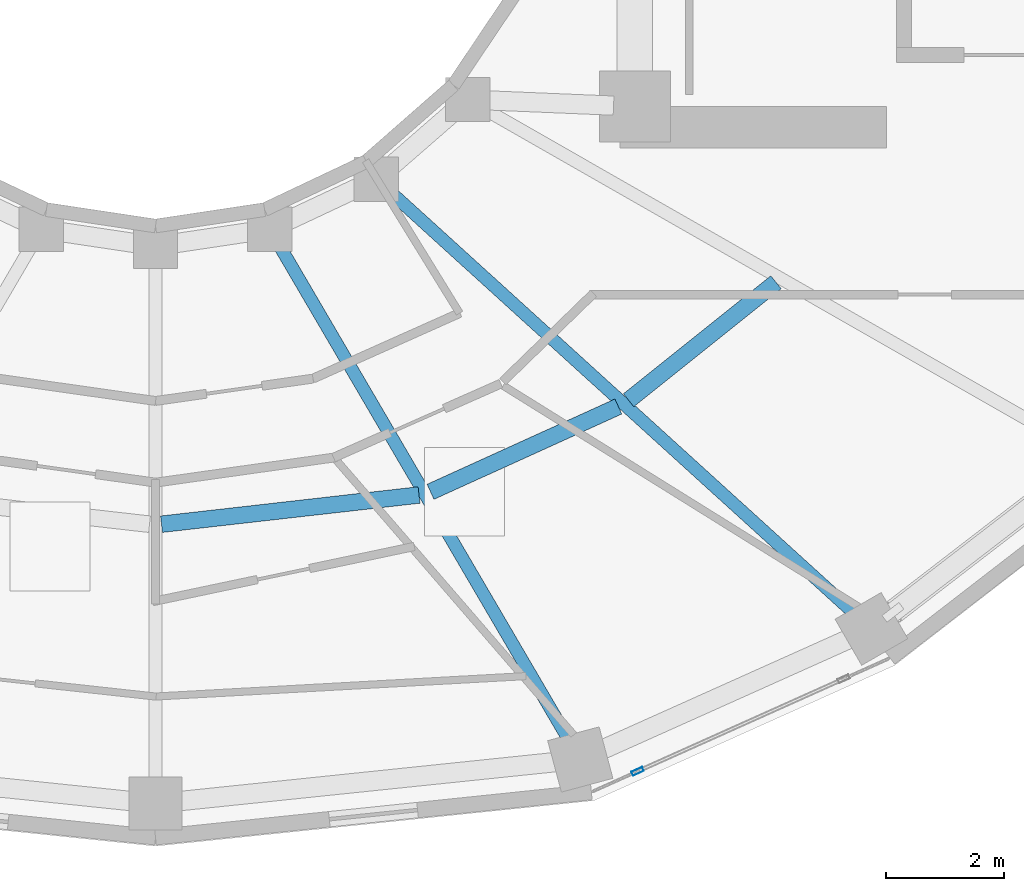
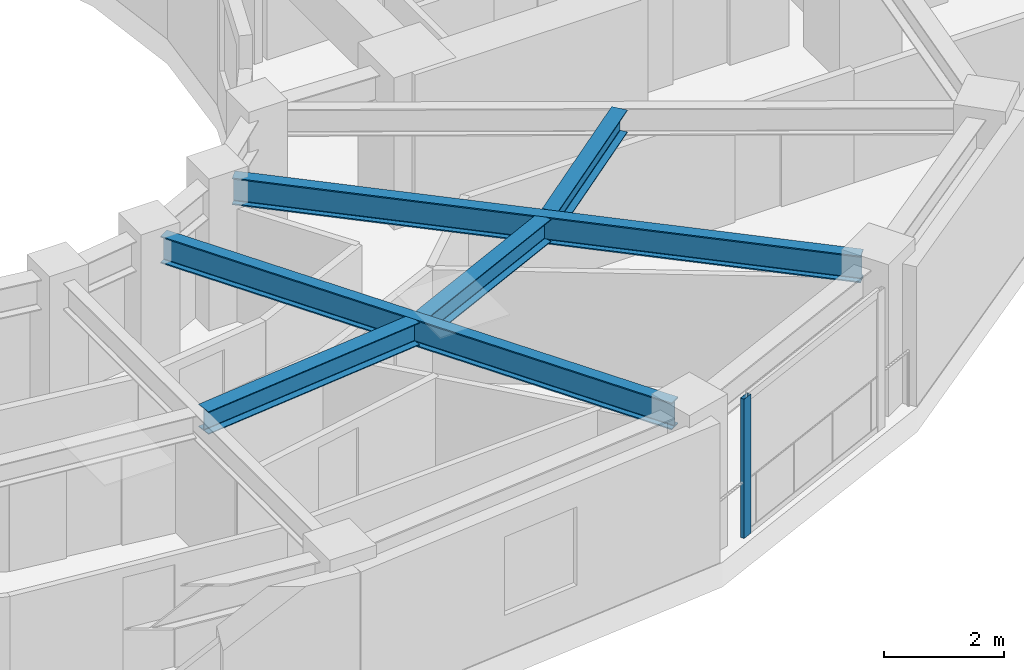
# One storey, part 4 of 17: 5 beams, 1 member, 1 element without a shape of its own.
"""IFC4 building model written with IfcOpenShell, lengths in metres."""

from ifc_helpers import new_model, si_unit, direction, frame, origin, origin_2d, place, context, subcontext, project, spatial, hollow_rectangle, i_section, extrude, material, layer, layer_set, material_profile, profile_set, type_object, element, aggregate, save


model = new_model("IFC4")

# Units and contexts
model_context = context("Model", 3, precision=1e-05, world=origin(), true_north=direction((0.0, 1.0)))
body_context = subcontext(model_context, "Body", "Model", "MODEL_VIEW")
ifc_project = project(units=[si_unit("LENGTHUNIT", "METRE"), si_unit("AREAUNIT", "SQUARE_METRE"), si_unit("VOLUMEUNIT", "CUBIC_METRE"), si_unit("PLANEANGLEUNIT", "RADIAN"), si_unit("MASSUNIT", "GRAM", prefix="KILO")], contexts=[model_context])

# Site, building, storey
site_placement = place(None, origin())
site = spatial("IfcSite", under=ifc_project, at=site_placement, CompositionType="ELEMENT")
building_placement = place(site_placement, origin())
building = spatial("IfcBuilding", under=site, at=building_placement, Name="Solvane Sanctuary Tower", CompositionType="ELEMENT")
storey_placement = place(building_placement, frame((0.0, 0.0, 171.5)))
storey = spatial("IfcBuildingStorey", under=building, at=storey_placement, Name="L52", CompositionType="ELEMENT", Elevation=171.5)

# Beams
ifc_material_1 = material(Name="Steel ASTM A992 Grade 50", Category="steel")
ifc_material_profile_1 = material_profile(ifc_material_1, i_section(OverallWidth=0.214111328125, OverallDepth=0.549072265625, WebThickness=0.0146484375, FlangeThickness=0.023681640625, FilletRadius=0.014892578125, at=origin_2d()), Name="W21X93")
ifc_profile_set_1 = profile_set([ifc_material_profile_1], Name="Steel ASTM A992 Grade 50")
beam_type_1 = type_object("IfcBeamType", Name="Beam B-RAD-Z3 W21X93", PredefinedType="JOIST", material=ifc_profile_set_1)
beam_1_placement = place(storey_placement, frame((34.072265625, 14.586669921875, 2.603515625), z_axis=(0.505243742555, -0.862976686017, 0.0), x_axis=(0.862976686017, 0.505243742555, 0.0)))
element("IfcBeam", 1, at=beam_1_placement, inside=storey, type_object=beam_type_1, Name="L52 Radial Composite Floor Beam 12", PredefinedType="JOIST", context=body_context, shape_type="SweptSolid", body=[
    extrude(i_section(OverallWidth=0.214111328125, OverallDepth=0.549072265625, WebThickness=0.0146484375, FlangeThickness=0.023681640625, FilletRadius=0.014892578125, at=origin_2d()), origin(), (0.0, 0.0, 1.0), 9.826171875),
])
beam_2_placement = place(storey_placement, frame((35.937255859375, 15.485107421875, 2.603515625), z_axis=(0.74020423772, -0.672382098558, 0.0), x_axis=(0.672382098558, 0.74020423772, 0.0)))
element("IfcBeam", 2, at=beam_2_placement, inside=storey, type_object=beam_type_1, Name="L52 Radial Composite Floor Beam 13", PredefinedType="JOIST", context=body_context, shape_type="SweptSolid", body=[
    extrude(i_section(OverallWidth=0.214111328125, OverallDepth=0.549072265625, WebThickness=0.0146484375, FlangeThickness=0.023681640625, FilletRadius=0.014892578125, at=origin_2d()), origin(), (0.0, 0.0, 1.0), 10.7451171875),
])
ifc_material_profile_2 = material_profile(ifc_material_1, i_section(OverallWidth=0.280029296875, OverallDepth=0.462890625, WebThickness=0.0107421875, FlangeThickness=0.017333984375, FilletRadius=0.013916015625, at=origin_2d()), Name="W18X76")
ifc_profile_set_2 = profile_set([ifc_material_profile_2], Name="Steel ASTM A992 Grade 50")
beam_type_2 = type_object("IfcBeamType", Name="Beam B-SEC-JOIST W18X76", PredefinedType="JOIST", material=ifc_profile_set_2)
beam_3_placement = place(storey_placement, frame((32.101318359375, 9.841552734375, 2.646484375), z_axis=(0.993627549834, 0.112713318696, 0.0), x_axis=(-0.112713318696, 0.993627549834, 0.0)))
element("IfcBeam", 3, at=beam_3_placement, inside=storey, type_object=beam_type_2, Name="L52 Secondary Circumferential Joist 11-12", PredefinedType="JOIST", context=body_context, shape_type="SweptSolid", body=[
    extrude(i_section(OverallWidth=0.280029296875, OverallDepth=0.462890625, WebThickness=0.0107421875, FlangeThickness=0.017333984375, FilletRadius=0.013916015625, at=origin_2d()), origin(), (0.0, 0.0, 1.0), 4.379638671875),
])
beam_4_placement = place(storey_placement, frame((36.6474609375, 10.388916015625, 2.646484375), z_axis=(0.910474379443, 0.413565477739, 0.0), x_axis=(-0.413565477739, 0.910474379443, 0.0)))
element("IfcBeam", 4, at=beam_4_placement, inside=storey, type_object=beam_type_2, Name="L52 Secondary Circumferential Joist 12-13", PredefinedType="JOIST", context=body_context, shape_type="SweptSolid", body=[
    extrude(i_section(OverallWidth=0.280029296875, OverallDepth=0.462890625, WebThickness=0.0107421875, FlangeThickness=0.017333984375, FilletRadius=0.013916015625, at=origin_2d()), origin(), (0.0, 0.0, 1.0), 3.48583984375),
])
beam_5_placement = place(storey_placement, frame((39.993896484375, 11.936279296875, 2.646484375), z_axis=(0.78092105122, 0.624629739735, 0.0), x_axis=(-0.624629739735, 0.78092105122, 0.0)))
element("IfcBeam", 5, at=beam_5_placement, inside=storey, type_object=beam_type_2, Name="L52 Secondary Circumferential Joist 13-14", PredefinedType="JOIST", context=body_context, shape_type="SweptSolid", body=[
    extrude(i_section(OverallWidth=0.280029296875, OverallDepth=0.462890625, WebThickness=0.0107421875, FlangeThickness=0.017333984375, FilletRadius=0.013916015625, at=origin_2d()), origin(), (0.0, 0.0, 1.0), 3.19140625),
])

# Curtain wall, member
ifc_material_2 = material(Name="Anodised Aluminium 6063-T6", Category="aluminium")
ifc_layer = layer(ifc_material_2, 0.179931640625, Name="Anodised Aluminium 6063-T6")
ifc_layer_set = layer_set([ifc_layer], Name="Anodised Aluminium 6063-T6")
curtain_wall_type = type_object("IfcCurtainWallType", Name="Curtain Wall CW-FRIT-Z2", PredefinedType="NOTDEFINED", material=ifc_layer_set)
curtain_wall_placement = place(storey_placement, origin())
curtain_wall = element("IfcCurtainWall", 6, at=curtain_wall_placement, inside=storey, type_object=curtain_wall_type, Name="L52 CW-FRIT-Z2 Facade Run 19", PredefinedType="NOTDEFINED")
ifc_material_profile_3 = material_profile(ifc_material_2, hollow_rectangle(XDim=0.074951171875, YDim=0.199951171875, WallThickness=0.00390625, at=origin_2d()), Name="ALU200X75X4")
ifc_profile_set_3 = profile_set([ifc_material_profile_3], Name="Anodised Aluminium 6063-T6")
member_type = type_object("IfcMemberType", Name="Member M-CW-MUL-1 ALU200X75X4", PredefinedType="MULLION", material=ifc_profile_set_3)
member_placement = place(storey_placement, frame((40.1474609375, 5.66650390625, 0.0), z_axis=(0.0, 0.0, 1.0), x_axis=(-0.409410643281, 0.912350220676, 0.0)))
member = element("IfcMember", 7, at=member_placement, type_object=member_type, Name="CW-FRIT-Z2 mullion 1", PredefinedType="MULLION", context=body_context, shape_type="SweptSolid", body=[
    extrude(hollow_rectangle(XDim=0.074951171875, YDim=0.199951171875, WallThickness=0.00390625, at=origin_2d()), origin(), (0.0, 0.0, 1.0), 2.840087890625),
])
aggregate(curtain_wall, [member])

save(model, "model.ifc")
